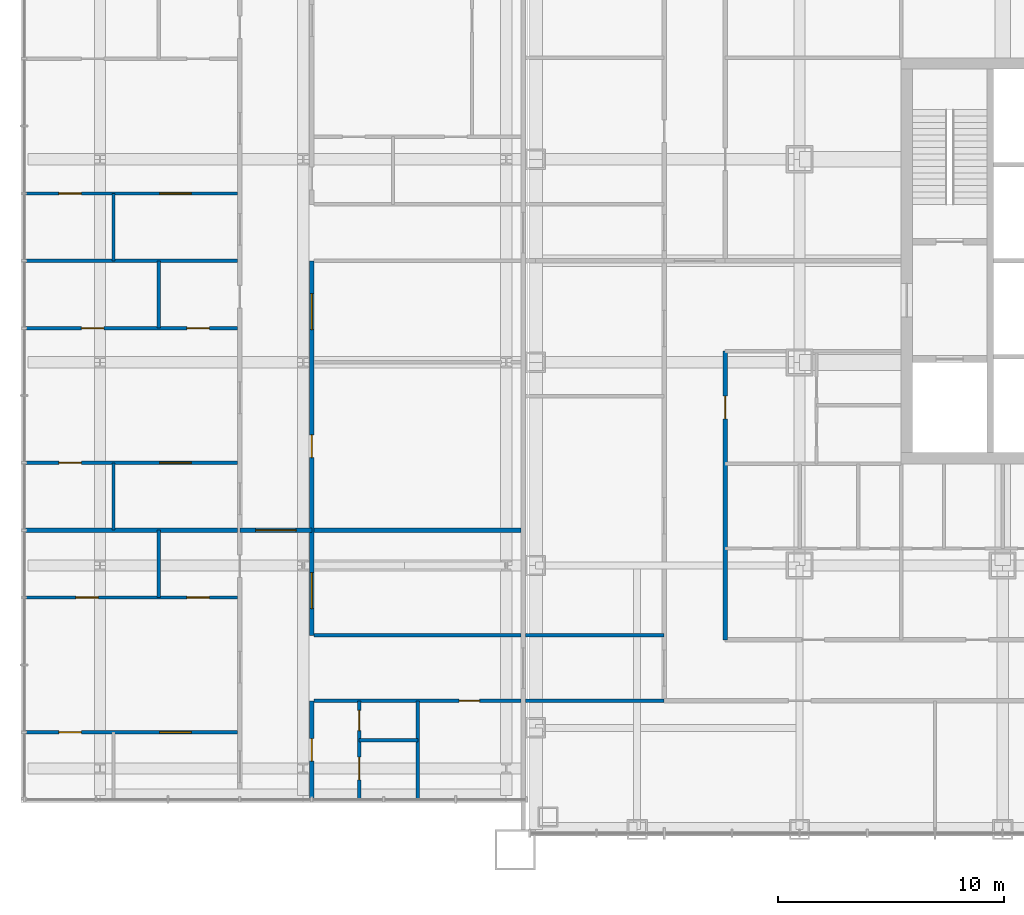
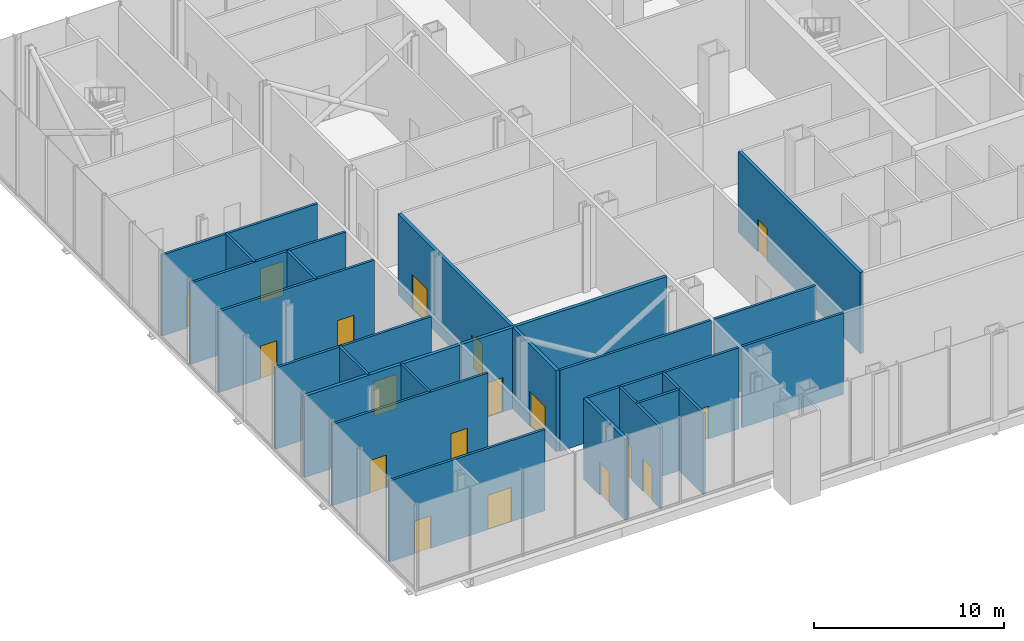
# One storey, part 12 of 25: 23 walls, 19 doors, 19 openings.
"""IFC4 building model written with IfcOpenShell, lengths in metres."""

import ifcopenshell
import ifcopenshell.guid

model = None  # the IFC model being written
_history = None  # IfcOwnerHistory: only IFC2X3 demands one
_inside = {}  # id of a spatial element -> (the spatial element, [elements in it])
_under = {}  # id of a project, library or spatial element -> (it, [spatial elements below it])
_declared = {}  # id of a project -> (the project, [libraries it declares])
_typed = {}  # id of a type object -> (the type object, [elements of that type])
_made_of = {}  # id of a material, layer set ... -> (it, [elements and type objects made of it])


def new_model(schema):
    """Start an empty IFC model of exactly this schema.

    Asked for "IFC4X3", IfcOpenShell would pick the latest addendum, in which some entities
    have other attributes; the version numbers below select the first issue.
    IFC2X3 requires an IfcOwnerHistory on every rooted entity: one is made here for all.
    """
    global model, _history
    if schema == "IFC4X3":
        model = ifcopenshell.file(schema_version=(4, 3, 0, 0))
    else:
        model = ifcopenshell.file(schema=schema)
    _inside.clear()
    _under.clear()
    _declared.clear()
    _typed.clear()
    _made_of.clear()
    _history = None
    if model.schema == "IFC2X3":
        org = make("IfcOrganization", Name="unknown")
        user = make(
            "IfcPersonAndOrganization",
            ThePerson=make("IfcPerson", FamilyName="unknown"),
            TheOrganization=org,
        )
        app = make(
            "IfcApplication",
            ApplicationDeveloper=org,
            Version="unknown",
            ApplicationFullName="unknown",
            ApplicationIdentifier="unknown",
        )
        _history = make(
            "IfcOwnerHistory",
            OwningUser=user,
            OwningApplication=app,
            ChangeAction="ADDED",
            CreationDate=0,
        )
    return model


def make(cls, **values):
    """One entity of the class cls with the attributes given. An attribute that is None is left unset."""
    return model.create_entity(
        cls, **{name: value for name, value in values.items() if value is not None}
    )


def rooted(cls, **values):
    """An entity with a GlobalId (a new one), such as an element, a storey or a relation."""
    return make(cls, GlobalId=ifcopenshell.guid.new(), OwnerHistory=_history, **values)


def si_unit(unit_type, name, prefix=None):
    """IfcSIUnit, for example si_unit("LENGTHUNIT", "METRE", prefix="MILLI")."""
    return make("IfcSIUnit", UnitType=unit_type, Prefix=prefix, Name=name)


def assignment(units):
    """IfcUnitAssignment: the units of a project."""
    return None if units is None else make("IfcUnitAssignment", Units=units)


def point(xyz):
    """IfcCartesianPoint."""
    return None if xyz is None else make("IfcCartesianPoint", Coordinates=xyz)


def direction(xyz):
    """IfcDirection."""
    return None if xyz is None else make("IfcDirection", DirectionRatios=xyz)


def frame(location, z_axis=None, x_axis=None):
    """IfcAxis2Placement3D, a coordinate frame: its origin and axes. An axis left out is left unset."""
    return make(
        "IfcAxis2Placement3D",
        Location=point(location),
        Axis=direction(z_axis),
        RefDirection=direction(x_axis),
    )


def frame_2d(location, x_axis=None):
    """IfcAxis2Placement2D, a coordinate frame in the plane: its origin and x axis."""
    return make(
        "IfcAxis2Placement2D", Location=point(location), RefDirection=direction(x_axis)
    )


def origin():
    """The frame at (0, 0, 0) with its axes left unset."""
    return frame((0.0, 0.0, 0.0))


def place(relative_to, where):
    """IfcLocalPlacement: puts the frame where relative to a parent placement (None: the world)."""
    return make(
        "IfcLocalPlacement", PlacementRelTo=relative_to, RelativePlacement=where
    )


def context(
    kind, dimensions, precision=None, world=None, true_north=None, identifier=None
):
    """IfcGeometricRepresentationContext, for example the 3D "Model" context."""
    return make(
        "IfcGeometricRepresentationContext",
        ContextIdentifier=identifier,
        ContextType=kind,
        CoordinateSpaceDimension=dimensions,
        Precision=precision,
        WorldCoordinateSystem=world,
        TrueNorth=true_north,
    )


def subcontext(parent, identifier, kind, view, scale=None):
    """IfcGeometricRepresentationSubContext, for example "Body" below "Model"."""
    return make(
        "IfcGeometricRepresentationSubContext",
        ContextIdentifier=identifier,
        ContextType=kind,
        ParentContext=parent,
        TargetScale=scale,
        TargetView=view,
    )


def project(units=None, contexts=None):
    """IfcProject with its units and contexts."""
    return rooted(
        "IfcProject",
        Name="project",
        RepresentationContexts=contexts,
        UnitsInContext=assignment(units),
    )


def spatial(cls, under=None, at=None, **own):
    """A site, building, storey or space (cls), placed at a placement, below another one or the project."""
    s = rooted(cls, ObjectPlacement=at, **own)
    if under is not None:
        _under.setdefault(under.id(), (under, []))[1].append(s)
    return s


def profile(cls, at=None, kind="AREA", **sizes):
    """A parametric profile (cls). Its sizes go by their IFC names, for example OverallWidth=200.0."""
    return make(cls, ProfileType=kind, Position=at, **sizes)


def rectangle(**sizes):
    """IfcRectangleProfileDef."""
    return profile("IfcRectangleProfileDef", **sizes)


def extrude(swept, where, along, depth):
    """IfcExtrudedAreaSolid: the profile swept, set in the frame where, extruded along a direction by depth."""
    return make(
        "IfcExtrudedAreaSolid",
        SweptArea=swept,
        Position=where,
        ExtrudedDirection=direction(along),
        Depth=depth,
    )


def shape(context_of_items, identifier, shape_type, items):
    """IfcShapeRepresentation: the items that make up one representation, for example the "Body"."""
    return make(
        "IfcShapeRepresentation",
        ContextOfItems=context_of_items,
        RepresentationIdentifier=identifier,
        RepresentationType=shape_type,
        Items=items,
    )


def material(Name=None, Category=None):
    """IfcMaterial."""
    return make("IfcMaterial", Name=Name, Category=Category)


def layer(
    of_material, thickness, ventilated=None, Name=None, Category=None, Priority=None
):
    """IfcMaterialLayer: one layer of a wall or slab, of a material (None: an air gap)."""
    return make(
        "IfcMaterialLayer",
        Material=of_material,
        LayerThickness=thickness,
        IsVentilated=ventilated,
        Name=Name,
        Category=Category,
        Priority=Priority,
    )


def layer_set(layers, Name=None):
    """IfcMaterialLayerSet."""
    return make("IfcMaterialLayerSet", MaterialLayers=layers, LayerSetName=Name)


def made_of(thing, what):
    """Note that an element or type object is made of a material, layer set ...; save() writes the relation."""
    if what is not None:
        _made_of.setdefault(what.id(), (what, []))[1].append(thing)
    return thing


def type_object(cls, material=None, **own):
    """A type object (cls), such as IfcWallType, which elements share."""
    return made_of(rooted(cls, **own), material)


def element(
    cls,
    number,
    at=None,
    inside=None,
    cuts=None,
    type_object=None,
    material=None,
    context=None,
    identifier="Body",
    shape_type=None,
    held_by="IfcProductDefinitionShape",
    body=None,
    shapes=None,
    **own,
):
    """One element of the class cls, such as IfcWall. Its Tag is "e" and its number.

    at: its placement. inside: the storey or other place that contains it. cuts: it is an
    opening in that element (IfcRelVoidsElement). A single representation is given by context,
    identifier, shape_type and body (its items); several are given by shapes. held_by: the class
    of the entity that holds the representations. save() writes the other relations.
    """
    e = rooted(cls, Tag="e%d" % number, ObjectPlacement=at, **own)
    if body is not None:
        shapes = [shape(context, identifier, shape_type, body)]
    if shapes is not None:
        e.Representation = make(held_by, Representations=shapes)
    if inside is not None:
        _inside.setdefault(inside.id(), (inside, []))[1].append(e)
    if cuts is not None:
        rooted(
            "IfcRelVoidsElement", RelatingBuildingElement=cuts, RelatedOpeningElement=e
        )
    if type_object is not None:
        _typed.setdefault(type_object.id(), (type_object, []))[1].append(e)
    return made_of(e, material)


def fill(opening, filler):
    """IfcRelFillsElement: the door or window that sits in an opening."""
    return rooted(
        "IfcRelFillsElement",
        RelatingOpeningElement=opening,
        RelatedBuildingElement=filler,
    )


def aggregate(whole, parts):
    """IfcRelAggregates: a whole, such as a stair, and the parts it consists of."""
    return rooted("IfcRelAggregates", RelatingObject=whole, RelatedObjects=parts)


def save(model, path):
    """Write the relations noted so far, then the file.

    IfcRelAggregates (storeys below a building ...), IfcRelContainedInSpatialStructure (elements
    in a storey), IfcRelDefinesByType, IfcRelAssociatesMaterial and IfcRelDeclares: one each for
    every whole, place, type object, material and project.
    """
    for whole, parts in _under.values():
        aggregate(whole, parts)
    for where, things in _inside.values():
        rooted(
            "IfcRelContainedInSpatialStructure",
            RelatedElements=things,
            RelatingStructure=where,
        )
    for kind, things in _typed.values():
        rooted("IfcRelDefinesByType", RelatedObjects=things, RelatingType=kind)
    for what, things in _made_of.values():
        rooted("IfcRelAssociatesMaterial", RelatedObjects=things, RelatingMaterial=what)
    for by, libraries in _declared.values():
        rooted("IfcRelDeclares", RelatingContext=by, RelatedDefinitions=libraries)
    model.write(path)


model = new_model("IFC4")

# Units and contexts
model_context = context("Model", 3, precision=1e-05, world=origin(), true_north=direction((0.0, 1.0)))
body_context = subcontext(model_context, "Body", "Model", "MODEL_VIEW")
ifc_project = project(units=[si_unit("LENGTHUNIT", "METRE"), si_unit("AREAUNIT", "SQUARE_METRE"), si_unit("VOLUMEUNIT", "CUBIC_METRE"), si_unit("PLANEANGLEUNIT", "RADIAN"), si_unit("MASSUNIT", "GRAM", prefix="KILO")], contexts=[model_context])

# Site, building, storey
site_placement = place(None, origin())
site = spatial("IfcSite", under=ifc_project, at=site_placement, CompositionType="ELEMENT")
building_placement = place(site_placement, origin())
building = spatial("IfcBuilding", under=site, at=building_placement, Name="Malebo Sky Hospital", CompositionType="ELEMENT")
storey_placement = place(building_placement, frame((0.0, 0.0, 11.0)))
storey = spatial("IfcBuildingStorey", under=building, at=storey_placement, Name="L02", CompositionType="ELEMENT", Elevation=11.0)

# Wall, opening, door
ifc_material_1 = material(Name="Gypsum board on steel studs", Category="steel")
ifc_layer_1 = layer(ifc_material_1, 0.199951171875)
ifc_layer_set_1 = layer_set([ifc_layer_1], Name="CORRIDOR WALL 200")
wall_type_1 = type_object("IfcWallType", Name="CORRIDOR WALL 200", PredefinedType="PARTITIONING", material=ifc_layer_set_1)
wall_1_placement = place(storey_placement, frame((43.199951171875, 45.199951171875, 0.0), z_axis=(0.0, 0.0, 1.0), x_axis=(0.0, 1.0, 0.0)))
wall_1 = element("IfcWall", 1, at=wall_1_placement, inside=storey, type_object=wall_type_1, Name="Corridor Wall 200 WCI1", PredefinedType="PARTITIONING", context=body_context, shape_type="SweptSolid", body=[
    extrude(rectangle(XDim=12.800048828125, YDim=0.199951171875, at=frame_2d((6.39990234375, 0.0))), origin(), (0.0, 0.0, 1.0), 5.199951171875),
])
opening_1_placement = place(wall_1_placement, frame((9.800048828125, 0.0, 0.0)))
opening_1 = element("IfcOpeningElement", 2, at=opening_1_placement, cuts=wall_1, Name="Opening D03", PredefinedType="OPENING", context=body_context, shape_type="SweptSolid", body=[
    extrude(rectangle(XDim=1.0, YDim=2.10009765625, at=frame_2d((0.5, 1.050048828125))), frame((0.0, 0.10986328125, 0.0), z_axis=(0.0, -1.0, 0.0), x_axis=(1.0, 0.0, 0.0)), (0.0, 0.0, 1.0), 0.219970703125),
])
ifc_material_2 = material(Name="Hardwood-faced door leaf in steel frame", Category="steel")
door_type_1 = type_object("IfcDoorType", Name="ROOM DOOR 1000", OperationType="SINGLE_SWING_LEFT", PredefinedType="DOOR", material=ifc_material_2)
door_1_placement = place(opening_1_placement, origin())
door_1 = element("IfcDoor", 3, at=door_1_placement, inside=storey, type_object=door_type_1, Name="Patient WC vestibule door", OperationType="SINGLE_SWING_LEFT", OverallHeight=2.10009765625, OverallWidth=1.0, PredefinedType="DOOR", context=body_context, shape_type="SweptSolid", body=[
    extrude(rectangle(XDim=1.0, YDim=2.10009765625, at=frame_2d((0.5, 1.050048828125))), frame((0.0, 0.02490234375, 0.0), z_axis=(0.0, -1.0, 0.0), x_axis=(1.0, 0.0, 0.0)), (0.0, 0.0, 1.0), 0.050048828125),
])
fill(opening_1, door_1)

wall_2_placement = place(storey_placement, frame((24.882080078125, 38.14990234375, 0.0), z_axis=(0.0, 0.0, 1.0), x_axis=(0.0, 1.0, 0.0)))
wall_2 = element("IfcWall", 4, at=wall_2_placement, inside=storey, type_object=wall_type_1, Name="Corridor Wall 200 WWC2A", PredefinedType="PARTITIONING", context=body_context, shape_type="SweptSolid", body=[
    extrude(rectangle(XDim=4.35009765625, YDim=0.199951171875, at=frame_2d((2.175048828125, 0.0))), origin(), (0.0, 0.0, 1.0), 5.199951171875),
])
opening_2_placement = place(wall_2_placement, frame((1.675048828125, 0.0, 0.0)))
opening_2 = element("IfcOpeningElement", 5, at=opening_2_placement, cuts=wall_2, Name="Opening D03", PredefinedType="OPENING", context=body_context, shape_type="SweptSolid", body=[
    extrude(rectangle(XDim=1.0, YDim=2.10009765625, at=frame_2d((0.5, 1.050048828125))), frame((0.0, 0.10986328125, 0.0), z_axis=(0.0, -1.0, 0.0), x_axis=(1.0, 0.0, 0.0)), (0.0, 0.0, 1.0), 0.219970703125),
])
door_2_placement = place(opening_2_placement, origin())
door_2 = element("IfcDoor", 6, at=door_2_placement, inside=storey, type_object=door_type_1, Name="WC vestibule door", OperationType="SINGLE_SWING_RIGHT", OverallHeight=2.10009765625, OverallWidth=1.0, PredefinedType="DOOR", context=body_context, shape_type="SweptSolid", body=[
    extrude(rectangle(XDim=1.0, YDim=2.10009765625, at=frame_2d((0.5, 1.050048828125))), frame((0.0, 0.02490234375, 0.0), z_axis=(0.0, -1.0, 0.0), x_axis=(1.0, 0.0, 0.0)), (0.0, 0.0, 1.0), 0.050048828125),
])
fill(opening_2, door_2)

# Wall, openings, doors
wall_3_placement = place(storey_placement, frame((24.882080078125, 45.39990234375, 0.0), z_axis=(0.0, 0.0, 1.0), x_axis=(0.0, 1.0, 0.0)))
wall_3 = element("IfcWall", 7, at=wall_3_placement, inside=storey, type_object=wall_type_1, Name="Corridor Wall 200 WWC2B", PredefinedType="PARTITIONING", context=body_context, shape_type="SweptSolid", body=[
    extrude(rectangle(XDim=16.60009765625, YDim=0.199951171875, at=frame_2d((8.300048828125, 0.0))), origin(), (0.0, 0.0, 1.0), 5.199951171875),
])
opening_3_placement = place(wall_3_placement, frame((1.181396484375, 0.0, 0.0)))
opening_3 = element("IfcOpeningElement", 8, at=opening_3_placement, cuts=wall_3, Name="Opening D14", PredefinedType="OPENING", context=body_context, shape_type="SweptSolid", body=[
    extrude(rectangle(XDim=1.60009765625, YDim=2.199951171875, at=frame_2d((0.800048828125, 1.10009765625))), frame((0.0, 0.10986328125, 0.0), z_axis=(0.0, -1.0, 0.0), x_axis=(1.0, 0.0, 0.0)), (0.0, 0.0, 1.0), 0.219970703125),
])
opening_4_placement = place(wall_3_placement, frame((7.88134765625, 0.0, 0.0)))
opening_4 = element("IfcOpeningElement", 9, at=opening_4_placement, cuts=wall_3, Name="Opening D03", PredefinedType="OPENING", context=body_context, shape_type="SweptSolid", body=[
    extrude(rectangle(XDim=1.0, YDim=2.10009765625, at=frame_2d((0.5, 1.050048828125))), frame((0.0, 0.10986328125, 0.0), z_axis=(0.0, -1.0, 0.0), x_axis=(1.0, 0.0, 0.0)), (0.0, 0.0, 1.0), 0.219970703125),
])
opening_5_placement = place(wall_3_placement, frame((13.550048828125, 0.0, 0.0)))
opening_5 = element("IfcOpeningElement", 10, at=opening_5_placement, cuts=wall_3, Name="Opening D14", PredefinedType="OPENING", context=body_context, shape_type="SweptSolid", body=[
    extrude(rectangle(XDim=1.60009765625, YDim=2.199951171875, at=frame_2d((0.800048828125, 1.10009765625))), frame((0.0, 0.10986328125, 0.0), z_axis=(0.0, -1.0, 0.0), x_axis=(1.0, 0.0, 0.0)), (0.0, 0.0, 1.0), 0.219970703125),
])
door_type_2 = type_object("IfcDoorType", Name="DEPARTMENT DOOR PAIR 1600", OperationType="DOUBLE_DOOR_DOUBLE_SWING", PredefinedType="DOOR", material=ifc_material_2)
door_3_placement = place(opening_3_placement, origin())
door_3 = element("IfcDoor", 11, at=door_3_placement, inside=storey, type_object=door_type_2, Name="Theatre store door", OperationType="DOUBLE_DOOR_DOUBLE_SWING", OverallHeight=2.199951171875, OverallWidth=1.60009765625, PredefinedType="DOOR", context=body_context, shape_type="SweptSolid", body=[
    extrude(rectangle(XDim=1.60009765625, YDim=2.199951171875, at=frame_2d((0.800048828125, 1.10009765625))), frame((0.0, 0.02490234375, 0.0), z_axis=(0.0, -1.0, 0.0), x_axis=(1.0, 0.0, 0.0)), (0.0, 0.0, 1.0), 0.050048828125),
])
fill(opening_3, door_3)
door_4_placement = place(opening_5_placement, origin())
door_4 = element("IfcDoor", 12, at=door_4_placement, inside=storey, type_object=door_type_2, Name="Theatre reception door", OperationType="DOUBLE_DOOR_DOUBLE_SWING", OverallHeight=2.199951171875, OverallWidth=1.60009765625, PredefinedType="DOOR", context=body_context, shape_type="SweptSolid", body=[
    extrude(rectangle(XDim=1.60009765625, YDim=2.199951171875, at=frame_2d((0.800048828125, 1.10009765625))), frame((0.0, 0.02490234375, 0.0), z_axis=(0.0, -1.0, 0.0), x_axis=(1.0, 0.0, 0.0)), (0.0, 0.0, 1.0), 0.050048828125),
])
fill(opening_5, door_4)
door_5_placement = place(opening_4_placement, origin())
door_5 = element("IfcDoor", 13, at=door_5_placement, inside=storey, type_object=door_type_1, Name="Theatre staff base door", OperationType="SINGLE_SWING_LEFT", OverallHeight=2.10009765625, OverallWidth=1.0, PredefinedType="DOOR", context=body_context, shape_type="SweptSolid", body=[
    extrude(rectangle(XDim=1.0, YDim=2.10009765625, at=frame_2d((0.5, 1.050048828125))), frame((0.0, 0.02490234375, 0.0), z_axis=(0.0, -1.0, 0.0), x_axis=(1.0, 0.0, 0.0)), (0.0, 0.0, 1.0), 0.050048828125),
])
fill(opening_4, door_5)

# Walls
ifc_layer_2 = layer(ifc_material_1, 0.14990234375)
ifc_layer_set_2 = layer_set([ifc_layer_2], Name="PARTITION 150")
wall_type_2 = type_object("IfcWallType", Name="PARTITION 150", PredefinedType="PARTITIONING", material=ifc_layer_set_2)
for number, where, z_axis, x_axis, name in (
    (14, (40.5, 42.5, 0.0), (0.0, 0.0, 1.0), (-1.0, 0.0, 0.0), "Partition 150 WP-19.5"),
    (15, (40.5, 45.39990234375, 0.0), (0.0, 0.0, 1.0), (-1.0, 0.0, 0.0), "Partition 150 WP-16.6"),
):
    element("IfcWall", number, at=place(storey_placement, frame(where, z_axis=z_axis, x_axis=x_axis)), inside=storey, type_object=wall_type_2, Name=name, PredefinedType="PARTITIONING", context=body_context, shape_type="SweptSolid", body=[
        extrude(rectangle(XDim=6.14990234375, YDim=0.14990234375, at=frame_2d((3.074951171875, 0.0))), origin(), (0.0, 0.0, 1.0), 5.199951171875),
    ])

# Wall, openings, doors
wall_4_placement = place(storey_placement, frame((12.14990234375, 41.109375, 0.0), z_axis=(0.0, 0.0, 1.0), x_axis=(1.0, 0.0, 0.0)))
wall_4 = element("IfcWall", 16, at=wall_4_placement, inside=storey, type_object=wall_type_2, Name="Partition 150 WOH00", PredefinedType="PARTITIONING", context=body_context, shape_type="SweptSolid", body=[
    extrude(rectangle(XDim=9.443115234375, YDim=0.14990234375, at=frame_2d((4.7216796875, 0.0))), origin(), (0.0, 0.0, 1.0), 5.199951171875),
])
opening_6_placement = place(wall_4_placement, frame((5.992919921875, 0.0, 0.0)))
opening_6 = element("IfcOpeningElement", 17, at=opening_6_placement, cuts=wall_4, Name="Opening D25", PredefinedType="OPENING", context=body_context, shape_type="SweptSolid", body=[
    extrude(rectangle(XDim=1.39990234375, YDim=2.199951171875, at=frame_2d((0.699951171875, 1.10009765625))), frame((0.0, 0.0849609375, 0.0), z_axis=(0.0, -1.0, 0.0), x_axis=(1.0, 0.0, 0.0)), (0.0, 0.0, 1.0), 0.169921875),
])
opening_7_placement = place(wall_4_placement, frame((1.521484375, 0.0, 0.0)))
opening_7 = element("IfcOpeningElement", 18, at=opening_7_placement, cuts=wall_4, Name="Opening D03", PredefinedType="OPENING", context=body_context, shape_type="SweptSolid", body=[
    extrude(rectangle(XDim=1.0, YDim=2.10009765625, at=frame_2d((0.5, 1.050048828125))), frame((0.0, 0.0849609375, 0.0), z_axis=(0.0, -1.0, 0.0), x_axis=(1.0, 0.0, 0.0)), (0.0, 0.0, 1.0), 0.169921875),
])
door_type_3 = type_object("IfcDoorType", Name="BED DOOR PAIR 1400", OperationType="DOUBLE_DOOR_SINGLE_SWING", PredefinedType="DOOR", material=ifc_material_2)
door_6_placement = place(opening_6_placement, origin())
door_6 = element("IfcDoor", 19, at=door_6_placement, inside=storey, type_object=door_type_3, Name="Anaesthetic room inner door", OperationType="DOUBLE_DOOR_SINGLE_SWING", OverallHeight=2.199951171875, OverallWidth=1.39990234375, PredefinedType="DOOR", context=body_context, shape_type="SweptSolid", body=[
    extrude(rectangle(XDim=1.39990234375, YDim=2.199951171875, at=frame_2d((0.699951171875, 1.10009765625))), frame((0.0, 0.02490234375, 0.0), z_axis=(0.0, -1.0, 0.0), x_axis=(1.0, 0.0, 0.0)), (0.0, 0.0, 1.0), 0.050048828125),
])
fill(opening_6, door_6)
door_7_placement = place(opening_7_placement, origin())
door_7 = element("IfcDoor", 20, at=door_7_placement, inside=storey, type_object=door_type_1, Name="Dirty utility room inner door", OperationType="SINGLE_SWING_RIGHT", OverallHeight=2.10009765625, OverallWidth=1.0, PredefinedType="DOOR", context=body_context, shape_type="SweptSolid", body=[
    extrude(rectangle(XDim=1.0, YDim=2.10009765625, at=frame_2d((0.5, 1.050048828125))), frame((0.0, 0.02490234375, 0.0), z_axis=(0.0, -1.0, 0.0), x_axis=(1.0, 0.0, 0.0)), (0.0, 0.0, 1.0), 0.050048828125),
])
fill(opening_7, door_7)

wall_5_placement = place(storey_placement, frame((12.14990234375, 47.078125, 0.0), z_axis=(0.0, 0.0, 1.0), x_axis=(1.0, 0.0, 0.0)))
wall_5 = element("IfcWall", 21, at=wall_5_placement, inside=storey, type_object=wall_type_2, Name="Partition 150 WOH01", PredefinedType="PARTITIONING", context=body_context, shape_type="SweptSolid", body=[
    extrude(rectangle(XDim=9.443115234375, YDim=0.14990234375, at=frame_2d((4.7216796875, 0.0))), origin(), (0.0, 0.0, 1.0), 5.199951171875),
])
opening_8_placement = place(wall_5_placement, frame((7.193115234375, 0.0, 0.0)))
opening_8 = element("IfcOpeningElement", 22, at=opening_8_placement, cuts=wall_5, Name="Opening D03", PredefinedType="OPENING", context=body_context, shape_type="SweptSolid", body=[
    extrude(rectangle(XDim=1.0, YDim=2.10009765625, at=frame_2d((0.5, 1.050048828125))), frame((0.0, 0.0849609375, 0.0), z_axis=(0.0, -1.0, 0.0), x_axis=(1.0, 0.0, 0.0)), (0.0, 0.0, 1.0), 0.169921875),
])
opening_9_placement = place(wall_5_placement, frame((2.271484375, 0.0, 0.0)))
opening_9 = element("IfcOpeningElement", 23, at=opening_9_placement, cuts=wall_5, Name="Opening D03", PredefinedType="OPENING", context=body_context, shape_type="SweptSolid", body=[
    extrude(rectangle(XDim=1.0, YDim=2.10009765625, at=frame_2d((0.5, 1.050048828125))), frame((0.0, 0.0849609375, 0.0), z_axis=(0.0, -1.0, 0.0), x_axis=(1.0, 0.0, 0.0)), (0.0, 0.0, 1.0), 0.169921875),
])
door_8_placement = place(opening_8_placement, origin())
door_8 = element("IfcDoor", 24, at=door_8_placement, inside=storey, type_object=door_type_1, Name="Scrub room inner door", OperationType="SINGLE_SWING_LEFT", OverallHeight=2.10009765625, OverallWidth=1.0, PredefinedType="DOOR", context=body_context, shape_type="SweptSolid", body=[
    extrude(rectangle(XDim=1.0, YDim=2.10009765625, at=frame_2d((0.5, 1.050048828125))), frame((0.0, 0.02490234375, 0.0), z_axis=(0.0, -1.0, 0.0), x_axis=(1.0, 0.0, 0.0)), (0.0, 0.0, 1.0), 0.050048828125),
])
fill(opening_8, door_8)
door_9_placement = place(opening_9_placement, origin())
door_9 = element("IfcDoor", 25, at=door_9_placement, inside=storey, type_object=door_type_1, Name="Preparation room inner door", OperationType="SINGLE_SWING_LEFT", OverallHeight=2.10009765625, OverallWidth=1.0, PredefinedType="DOOR", context=body_context, shape_type="SweptSolid", body=[
    extrude(rectangle(XDim=1.0, YDim=2.10009765625, at=frame_2d((0.5, 1.050048828125))), frame((0.0, 0.02490234375, 0.0), z_axis=(0.0, -1.0, 0.0), x_axis=(1.0, 0.0, 0.0)), (0.0, 0.0, 1.0), 0.050048828125),
])
fill(opening_9, door_9)

wall_6_placement = place(storey_placement, frame((12.14990234375, 53.046875, 0.0), z_axis=(0.0, 0.0, 1.0), x_axis=(1.0, 0.0, 0.0)))
wall_6 = element("IfcWall", 26, at=wall_6_placement, inside=storey, type_object=wall_type_2, Name="Partition 150 WOH03", PredefinedType="PARTITIONING", context=body_context, shape_type="SweptSolid", body=[
    extrude(rectangle(XDim=9.443115234375, YDim=0.14990234375, at=frame_2d((4.7216796875, 0.0))), origin(), (0.0, 0.0, 1.0), 5.199951171875),
])
opening_10_placement = place(wall_6_placement, frame((5.992919921875, 0.0, 0.0)))
opening_10 = element("IfcOpeningElement", 27, at=opening_10_placement, cuts=wall_6, Name="Opening D25", PredefinedType="OPENING", context=body_context, shape_type="SweptSolid", body=[
    extrude(rectangle(XDim=1.39990234375, YDim=2.199951171875, at=frame_2d((0.699951171875, 1.10009765625))), frame((0.0, 0.0849609375, 0.0), z_axis=(0.0, -1.0, 0.0), x_axis=(1.0, 0.0, 0.0)), (0.0, 0.0, 1.0), 0.169921875),
])
opening_11_placement = place(wall_6_placement, frame((1.521484375, 0.0, 0.0)))
opening_11 = element("IfcOpeningElement", 28, at=opening_11_placement, cuts=wall_6, Name="Opening D03", PredefinedType="OPENING", context=body_context, shape_type="SweptSolid", body=[
    extrude(rectangle(XDim=1.0, YDim=2.10009765625, at=frame_2d((0.5, 1.050048828125))), frame((0.0, 0.0849609375, 0.0), z_axis=(0.0, -1.0, 0.0), x_axis=(1.0, 0.0, 0.0)), (0.0, 0.0, 1.0), 0.169921875),
])
door_10_placement = place(opening_10_placement, origin())
door_10 = element("IfcDoor", 29, at=door_10_placement, inside=storey, type_object=door_type_3, Name="Anaesthetic room inner door", OperationType="DOUBLE_DOOR_SINGLE_SWING", OverallHeight=2.199951171875, OverallWidth=1.39990234375, PredefinedType="DOOR", context=body_context, shape_type="SweptSolid", body=[
    extrude(rectangle(XDim=1.39990234375, YDim=2.199951171875, at=frame_2d((0.699951171875, 1.10009765625))), frame((0.0, 0.02490234375, 0.0), z_axis=(0.0, -1.0, 0.0), x_axis=(1.0, 0.0, 0.0)), (0.0, 0.0, 1.0), 0.050048828125),
])
fill(opening_10, door_10)
door_11_placement = place(opening_11_placement, origin())
door_11 = element("IfcDoor", 30, at=door_11_placement, inside=storey, type_object=door_type_1, Name="Dirty utility room inner door", OperationType="SINGLE_SWING_RIGHT", OverallHeight=2.10009765625, OverallWidth=1.0, PredefinedType="DOOR", context=body_context, shape_type="SweptSolid", body=[
    extrude(rectangle(XDim=1.0, YDim=2.10009765625, at=frame_2d((0.5, 1.050048828125))), frame((0.0, 0.02490234375, 0.0), z_axis=(0.0, -1.0, 0.0), x_axis=(1.0, 0.0, 0.0)), (0.0, 0.0, 1.0), 0.050048828125),
])
fill(opening_11, door_11)

wall_7_placement = place(storey_placement, frame((12.14990234375, 59.015625, 0.0), z_axis=(0.0, 0.0, 1.0), x_axis=(1.0, 0.0, 0.0)))
wall_7 = element("IfcWall", 31, at=wall_7_placement, inside=storey, type_object=wall_type_2, Name="Partition 150 WOH04", PredefinedType="PARTITIONING", context=body_context, shape_type="SweptSolid", body=[
    extrude(rectangle(XDim=9.443115234375, YDim=0.14990234375, at=frame_2d((4.7216796875, 0.0))), origin(), (0.0, 0.0, 1.0), 5.199951171875),
])
opening_12_placement = place(wall_7_placement, frame((7.193115234375, 0.0, 0.0)))
opening_12 = element("IfcOpeningElement", 32, at=opening_12_placement, cuts=wall_7, Name="Opening D03", PredefinedType="OPENING", context=body_context, shape_type="SweptSolid", body=[
    extrude(rectangle(XDim=1.0, YDim=2.10009765625, at=frame_2d((0.5, 1.050048828125))), frame((0.0, 0.0849609375, 0.0), z_axis=(0.0, -1.0, 0.0), x_axis=(1.0, 0.0, 0.0)), (0.0, 0.0, 1.0), 0.169921875),
])
opening_13_placement = place(wall_7_placement, frame((2.521484375, 0.0, 0.0)))
opening_13 = element("IfcOpeningElement", 33, at=opening_13_placement, cuts=wall_7, Name="Opening D03", PredefinedType="OPENING", context=body_context, shape_type="SweptSolid", body=[
    extrude(rectangle(XDim=1.0, YDim=2.10009765625, at=frame_2d((0.5, 1.050048828125))), frame((0.0, 0.0849609375, 0.0), z_axis=(0.0, -1.0, 0.0), x_axis=(1.0, 0.0, 0.0)), (0.0, 0.0, 1.0), 0.169921875),
])
door_12_placement = place(opening_12_placement, origin())
door_12 = element("IfcDoor", 34, at=door_12_placement, inside=storey, type_object=door_type_1, Name="Scrub room inner door", OperationType="SINGLE_SWING_LEFT", OverallHeight=2.10009765625, OverallWidth=1.0, PredefinedType="DOOR", context=body_context, shape_type="SweptSolid", body=[
    extrude(rectangle(XDim=1.0, YDim=2.10009765625, at=frame_2d((0.5, 1.050048828125))), frame((0.0, 0.02490234375, 0.0), z_axis=(0.0, -1.0, 0.0), x_axis=(1.0, 0.0, 0.0)), (0.0, 0.0, 1.0), 0.050048828125),
])
fill(opening_12, door_12)
door_13_placement = place(opening_13_placement, origin())
door_13 = element("IfcDoor", 35, at=door_13_placement, inside=storey, type_object=door_type_1, Name="Preparation room inner door", OperationType="SINGLE_SWING_RIGHT", OverallHeight=2.10009765625, OverallWidth=1.0, PredefinedType="DOOR", context=body_context, shape_type="SweptSolid", body=[
    extrude(rectangle(XDim=1.0, YDim=2.10009765625, at=frame_2d((0.5, 1.050048828125))), frame((0.0, 0.02490234375, 0.0), z_axis=(0.0, -1.0, 0.0), x_axis=(1.0, 0.0, 0.0)), (0.0, 0.0, 1.0), 0.050048828125),
])
fill(opening_13, door_13)

# Wall
wall_8_placement = place(storey_placement, frame((12.14990234375, 62.0, 0.0), z_axis=(0.0, 0.0, 1.0), x_axis=(1.0, 0.0, 0.0)))
element("IfcWall", 36, at=wall_8_placement, inside=storey, type_object=wall_type_2, Name="Partition 150 WOH05", PredefinedType="PARTITIONING", context=body_context, shape_type="SweptSolid", body=[
    extrude(rectangle(XDim=9.443115234375, YDim=0.14990234375, at=frame_2d((4.7216796875, 0.0))), origin(), (0.0, 0.0, 1.0), 5.199951171875),
])

# Wall, openings, doors
wall_9_placement = place(storey_placement, frame((12.14990234375, 64.984375, 0.0), z_axis=(0.0, 0.0, 1.0), x_axis=(1.0, 0.0, 0.0)))
wall_9 = element("IfcWall", 37, at=wall_9_placement, inside=storey, type_object=wall_type_2, Name="Partition 150 WOH06", PredefinedType="PARTITIONING", context=body_context, shape_type="SweptSolid", body=[
    extrude(rectangle(XDim=9.443115234375, YDim=0.14990234375, at=frame_2d((4.7216796875, 0.0))), origin(), (0.0, 0.0, 1.0), 5.199951171875),
])
opening_14_placement = place(wall_9_placement, frame((5.992919921875, 0.0, 0.0)))
opening_14 = element("IfcOpeningElement", 38, at=opening_14_placement, cuts=wall_9, Name="Opening D25", PredefinedType="OPENING", context=body_context, shape_type="SweptSolid", body=[
    extrude(rectangle(XDim=1.39990234375, YDim=2.199951171875, at=frame_2d((0.699951171875, 1.10009765625))), frame((0.0, 0.0849609375, 0.0), z_axis=(0.0, -1.0, 0.0), x_axis=(1.0, 0.0, 0.0)), (0.0, 0.0, 1.0), 0.169921875),
])
opening_15_placement = place(wall_9_placement, frame((1.521484375, 0.0, 0.0)))
opening_15 = element("IfcOpeningElement", 39, at=opening_15_placement, cuts=wall_9, Name="Opening D03", PredefinedType="OPENING", context=body_context, shape_type="SweptSolid", body=[
    extrude(rectangle(XDim=1.0, YDim=2.10009765625, at=frame_2d((0.5, 1.050048828125))), frame((0.0, 0.0849609375, 0.0), z_axis=(0.0, -1.0, 0.0), x_axis=(1.0, 0.0, 0.0)), (0.0, 0.0, 1.0), 0.169921875),
])
door_14_placement = place(opening_14_placement, origin())
door_14 = element("IfcDoor", 40, at=door_14_placement, inside=storey, type_object=door_type_3, Name="Anaesthetic room inner door", OperationType="DOUBLE_DOOR_SINGLE_SWING", OverallHeight=2.199951171875, OverallWidth=1.39990234375, PredefinedType="DOOR", context=body_context, shape_type="SweptSolid", body=[
    extrude(rectangle(XDim=1.39990234375, YDim=2.199951171875, at=frame_2d((0.699951171875, 1.10009765625))), frame((0.0, 0.02490234375, 0.0), z_axis=(0.0, -1.0, 0.0), x_axis=(1.0, 0.0, 0.0)), (0.0, 0.0, 1.0), 0.050048828125),
])
fill(opening_14, door_14)
door_15_placement = place(opening_15_placement, origin())
door_15 = element("IfcDoor", 41, at=door_15_placement, inside=storey, type_object=door_type_1, Name="Dirty utility room inner door", OperationType="SINGLE_SWING_RIGHT", OverallHeight=2.10009765625, OverallWidth=1.0, PredefinedType="DOOR", context=body_context, shape_type="SweptSolid", body=[
    extrude(rectangle(XDim=1.0, YDim=2.10009765625, at=frame_2d((0.5, 1.050048828125))), frame((0.0, 0.02490234375, 0.0), z_axis=(0.0, -1.0, 0.0), x_axis=(1.0, 0.0, 0.0)), (0.0, 0.0, 1.0), 0.050048828125),
])
fill(opening_15, door_15)

# Walls
for number, where, z_axis, x_axis, name in (
    (42, (16.093017578125, 50.0625, 0.0), (0.0, 0.0, 1.0), (0.0, 1.0, 0.0), "Partition 150 WOV09"),
    (43, (16.093017578125, 62.0, 0.0), (0.0, 0.0, 1.0), (0.0, 1.0, 0.0), "Partition 150 WOV10"),
    (44, (18.093017578125, 47.078125, 0.0), (0.0, 0.0, 1.0), (0.0, 1.0, 0.0), "Partition 150 WOV11"),
    (45, (18.093017578125, 59.015625, 0.0), (0.0, 0.0, 1.0), (0.0, 1.0, 0.0), "Partition 150 WOV12"),
):
    element("IfcWall", number, at=place(storey_placement, frame(where, z_axis=z_axis, x_axis=x_axis)), inside=storey, type_object=wall_type_2, Name=name, PredefinedType="PARTITIONING", context=body_context, shape_type="SweptSolid", body=[
        extrude(rectangle(XDim=2.984375, YDim=0.14990234375, at=frame_2d((1.4921875, 0.0))), origin(), (0.0, 0.0, 1.0), 5.199951171875),
    ])
wall_10_placement = place(storey_placement, frame((26.98193359375, 40.75, 0.0), z_axis=(0.0, 0.0, 1.0), x_axis=(1.0, 0.0, 0.0)))
element("IfcWall", 46, at=wall_10_placement, inside=storey, type_object=wall_type_2, Name="Partition 150 WIH00", PredefinedType="PARTITIONING", context=body_context, shape_type="SweptSolid", body=[
    extrude(rectangle(XDim=2.60009765625, YDim=0.14990234375, at=frame_2d((1.300048828125, 0.0))), origin(), (0.0, 0.0, 1.0), 5.199951171875),
])

# Wall, opening, door
wall_11_placement = place(storey_placement, frame((24.98193359375, 42.5, 0.0), z_axis=(0.0, 0.0, 1.0), x_axis=(1.0, 0.0, 0.0)))
wall_11 = element("IfcWall", 47, at=wall_11_placement, inside=storey, type_object=wall_type_2, Name="Partition 150 WIH01", PredefinedType="PARTITIONING", context=body_context, shape_type="SweptSolid", body=[
    extrude(rectangle(XDim=9.16796875, YDim=0.14990234375, at=frame_2d((4.583984375, 0.0))), origin(), (0.0, 0.0, 1.0), 5.199951171875),
])
opening_16_placement = place(wall_11_placement, frame((6.43408203125, 0.0, 0.0)))
opening_16 = element("IfcOpeningElement", 48, at=opening_16_placement, cuts=wall_11, Name="Opening D04", PredefinedType="OPENING", context=body_context, shape_type="SweptSolid", body=[
    extrude(rectangle(XDim=0.89990234375, YDim=2.10009765625, at=frame_2d((0.449951171875, 1.050048828125))), frame((0.0, 0.0849609375, 0.0), z_axis=(0.0, -1.0, 0.0), x_axis=(1.0, 0.0, 0.0)), (0.0, 0.0, 1.0), 0.169921875),
])
door_type_4 = type_object("IfcDoorType", Name="ROOM DOOR 900", OperationType="SINGLE_SWING_LEFT", PredefinedType="DOOR", material=ifc_material_2)
door_16_placement = place(opening_16_placement, origin())
door_16 = element("IfcDoor", 49, at=door_16_placement, inside=storey, type_object=door_type_4, Name="Cleaner's room inner door", OperationType="SINGLE_SWING_LEFT", OverallHeight=2.10009765625, OverallWidth=0.89990234375, PredefinedType="DOOR", context=body_context, shape_type="SweptSolid", body=[
    extrude(rectangle(XDim=0.89990234375, YDim=2.10009765625, at=frame_2d((0.449951171875, 1.050048828125))), frame((0.0, 0.02490234375, 0.0), z_axis=(0.0, -1.0, 0.0), x_axis=(1.0, 0.0, 0.0)), (0.0, 0.0, 1.0), 0.050048828125),
])
fill(opening_16, door_16)

# Wall
wall_12_placement = place(storey_placement, frame((24.98193359375, 45.39990234375, 0.0), z_axis=(0.0, 0.0, 1.0), x_axis=(1.0, 0.0, 0.0)))
element("IfcWall", 50, at=wall_12_placement, inside=storey, type_object=wall_type_2, Name="Partition 150 WIH02", PredefinedType="PARTITIONING", context=body_context, shape_type="SweptSolid", body=[
    extrude(rectangle(XDim=9.16796875, YDim=0.14990234375, at=frame_2d((4.583984375, 0.0))), origin(), (0.0, 0.0, 1.0), 5.199951171875),
])

# Wall, openings, doors
wall_13_placement = place(storey_placement, frame((26.98193359375, 38.14990234375, 0.0), z_axis=(0.0, 0.0, 1.0), x_axis=(0.0, 1.0, 0.0)))
wall_13 = element("IfcWall", 51, at=wall_13_placement, inside=storey, type_object=wall_type_2, Name="Partition 150 WIV11", PredefinedType="PARTITIONING", context=body_context, shape_type="SweptSolid", body=[
    extrude(rectangle(XDim=4.35009765625, YDim=0.14990234375, at=frame_2d((2.175048828125, 0.0))), origin(), (0.0, 0.0, 1.0), 5.199951171875),
])
opening_17_placement = place(wall_13_placement, frame((0.85009765625, 0.0, 0.0)))
opening_17 = element("IfcOpeningElement", 52, at=opening_17_placement, cuts=wall_13, Name="Opening D03", PredefinedType="OPENING", context=body_context, shape_type="SweptSolid", body=[
    extrude(rectangle(XDim=1.0, YDim=2.10009765625, at=frame_2d((0.5, 1.050048828125))), frame((0.0, 0.0849609375, 0.0), z_axis=(0.0, -1.0, 0.0), x_axis=(1.0, 0.0, 0.0)), (0.0, 0.0, 1.0), 0.169921875),
])
opening_18_placement = place(wall_13_placement, frame((3.02490234375, 0.0, 0.0)))
opening_18 = element("IfcOpeningElement", 53, at=opening_18_placement, cuts=wall_13, Name="Opening D04", PredefinedType="OPENING", context=body_context, shape_type="SweptSolid", body=[
    extrude(rectangle(XDim=0.89990234375, YDim=2.10009765625, at=frame_2d((0.449951171875, 1.050048828125))), frame((0.0, 0.0849609375, 0.0), z_axis=(0.0, -1.0, 0.0), x_axis=(1.0, 0.0, 0.0)), (0.0, 0.0, 1.0), 0.169921875),
])
door_17_placement = place(opening_17_placement, origin())
door_17 = element("IfcDoor", 54, at=door_17_placement, inside=storey, type_object=door_type_1, Name="Accessible WC inner door", OperationType="SINGLE_SWING_RIGHT", OverallHeight=2.10009765625, OverallWidth=1.0, PredefinedType="DOOR", context=body_context, shape_type="SweptSolid", body=[
    extrude(rectangle(XDim=1.0, YDim=2.10009765625, at=frame_2d((0.5, 1.050048828125))), frame((0.0, 0.02490234375, 0.0), z_axis=(0.0, -1.0, 0.0), x_axis=(1.0, 0.0, 0.0)), (0.0, 0.0, 1.0), 0.050048828125),
])
fill(opening_17, door_17)
door_18_placement = place(opening_18_placement, origin())
door_18 = element("IfcDoor", 55, at=door_18_placement, inside=storey, type_object=door_type_4, Name="Staff WC inner door", OperationType="SINGLE_SWING_LEFT", OverallHeight=2.10009765625, OverallWidth=0.89990234375, PredefinedType="DOOR", context=body_context, shape_type="SweptSolid", body=[
    extrude(rectangle(XDim=0.89990234375, YDim=2.10009765625, at=frame_2d((0.449951171875, 1.050048828125))), frame((0.0, 0.02490234375, 0.0), z_axis=(0.0, -1.0, 0.0), x_axis=(1.0, 0.0, 0.0)), (0.0, 0.0, 1.0), 0.050048828125),
])
fill(opening_18, door_18)

# Wall
wall_14_placement = place(storey_placement, frame((29.58203125, 38.14990234375, 0.0), z_axis=(0.0, 0.0, 1.0), x_axis=(0.0, 1.0, 0.0)))
element("IfcWall", 56, at=wall_14_placement, inside=storey, type_object=wall_type_2, Name="Partition 150 WIV13", PredefinedType="PARTITIONING", context=body_context, shape_type="SweptSolid", body=[
    extrude(rectangle(XDim=4.35009765625, YDim=0.14990234375, at=frame_2d((2.175048828125, 0.0))), origin(), (0.0, 0.0, 1.0), 5.199951171875),
])

# Wall, opening, door
ifc_material_3 = material(Name="Concrete blockwork", Category="masonry")
ifc_layer_3 = layer(ifc_material_3, 0.199951171875)
ifc_layer_set_3 = layer_set([ifc_layer_3], Name="SMOKE BARRIER WALL 200")
wall_type_3 = type_object("IfcWallType", Name="SMOKE BARRIER WALL 200", PredefinedType="SOLIDWALL", material=ifc_layer_set_3)
wall_15_placement = place(storey_placement, frame((21.693115234375, 50.0625, 0.0), z_axis=(0.0, 0.0, 1.0), x_axis=(1.0, 0.0, 0.0)))
wall_15 = element("IfcWall", 57, at=wall_15_placement, inside=storey, type_object=wall_type_3, Name="Smoke Barrier Wall 200 WWSB", PredefinedType="SOLIDWALL", context=body_context, shape_type="SweptSolid", body=[
    extrude(rectangle(XDim=3.18896484375, YDim=0.199951171875, at=frame_2d((1.594482421875, 0.0))), origin(), (0.0, 0.0, 1.0), 5.199951171875),
])
opening_19_placement = place(wall_15_placement, frame((0.694580078125, 0.0, 0.0)))
opening_19 = element("IfcOpeningElement", 58, at=opening_19_placement, cuts=wall_15, Name="Opening D05", PredefinedType="OPENING", context=body_context, shape_type="SweptSolid", body=[
    extrude(rectangle(XDim=1.800048828125, YDim=2.199951171875, at=frame_2d((0.89990234375, 1.10009765625))), frame((0.0, 0.10986328125, 0.0), z_axis=(0.0, -1.0, 0.0), x_axis=(1.0, 0.0, 0.0)), (0.0, 0.0, 1.0), 0.219970703125),
])
door_type_5 = type_object("IfcDoorType", Name="SMOKE DOOR PAIR 1800", OperationType="DOUBLE_DOOR_DOUBLE_SWING", PredefinedType="DOOR", material=ifc_material_2)
door_19_placement = place(opening_19_placement, origin())
door_19 = element("IfcDoor", 59, at=door_19_placement, inside=storey, type_object=door_type_5, Name="Smoke compartment door pair", OperationType="DOUBLE_DOOR_DOUBLE_SWING", OverallHeight=2.199951171875, OverallWidth=1.800048828125, PredefinedType="DOOR", context=body_context, shape_type="SweptSolid", body=[
    extrude(rectangle(XDim=1.800048828125, YDim=2.199951171875, at=frame_2d((0.89990234375, 1.10009765625))), frame((0.0, 0.02490234375, 0.0), z_axis=(0.0, -1.0, 0.0), x_axis=(1.0, 0.0, 0.0)), (0.0, 0.0, 1.0), 0.050048828125),
])
fill(opening_19, door_19)

# Walls
wall_16_placement = place(storey_placement, frame((12.14990234375, 50.0625, 0.0), z_axis=(0.0, 0.0, 1.0), x_axis=(1.0, 0.0, 0.0)))
element("IfcWall", 60, at=wall_16_placement, inside=storey, type_object=wall_type_3, Name="Smoke Barrier Wall 200 WOH02", PredefinedType="SOLIDWALL", context=body_context, shape_type="SweptSolid", body=[
    extrude(rectangle(XDim=9.443115234375, YDim=0.199951171875, at=frame_2d((4.7216796875, 0.0))), origin(), (0.0, 0.0, 1.0), 5.199951171875),
])
wall_17_placement = place(storey_placement, frame((24.98193359375, 50.0625, 0.0), z_axis=(0.0, 0.0, 1.0), x_axis=(1.0, 0.0, 0.0)))
element("IfcWall", 61, at=wall_17_placement, inside=storey, type_object=wall_type_3, Name="Smoke Barrier Wall 200 WIH03", PredefinedType="SOLIDWALL", context=body_context, shape_type="SweptSolid", body=[
    extrude(rectangle(XDim=9.16796875, YDim=0.199951171875, at=frame_2d((4.583984375, 0.0))), origin(), (0.0, 0.0, 1.0), 5.199951171875),
])

save(model, "model.ifc")
